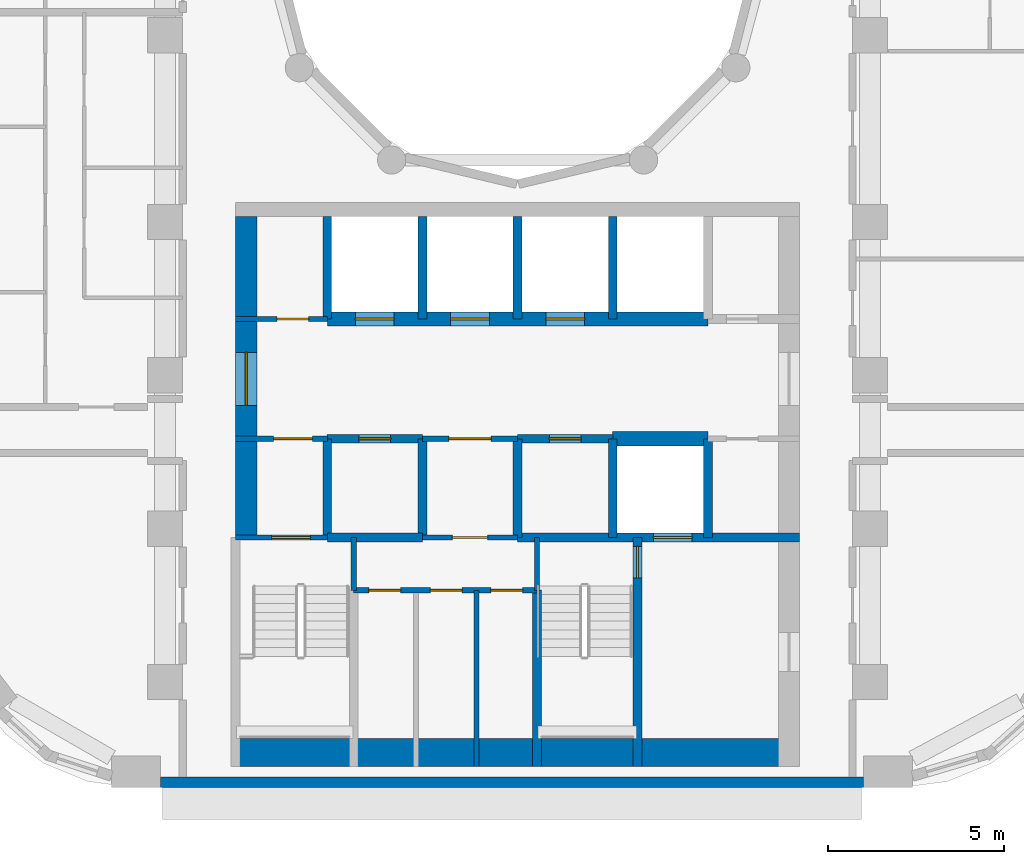
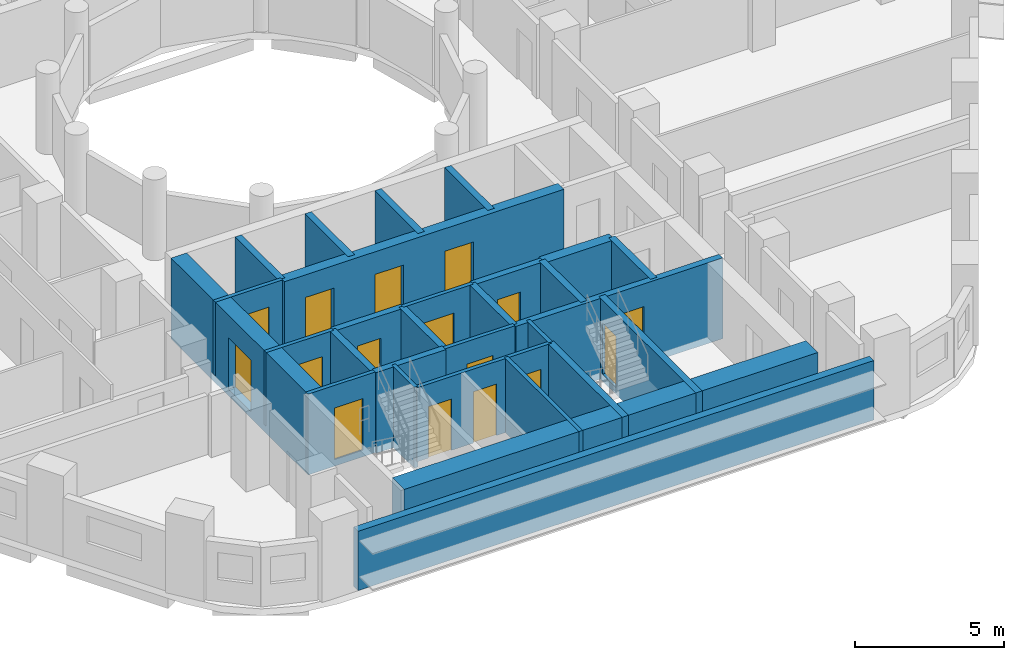
# One storey, part 3 of 12: 29 walls, 16 doors, 16 openings.
"""IFC4 building model written with IfcOpenShell, lengths in metres."""

from ifc_helpers import new_model, si_unit, direction, frame, frame_2d, origin, place, context, subcontext, project, spatial, rectangle, extrude, material, layer, layer_set, type_object, element, fill, save


model = new_model("IFC4")

# Units and contexts
model_context = context("Model", 3, precision=1e-05, world=origin(), true_north=direction((0.0, 1.0)))
body_context = subcontext(model_context, "Body", "Model", "MODEL_VIEW")
ifc_project = project(units=[si_unit("LENGTHUNIT", "METRE"), si_unit("AREAUNIT", "SQUARE_METRE"), si_unit("VOLUMEUNIT", "CUBIC_METRE"), si_unit("PLANEANGLEUNIT", "RADIAN"), si_unit("MASSUNIT", "GRAM", prefix="KILO")], contexts=[model_context])

# Site, building, storey
site_placement = place(None, origin())
site = spatial("IfcSite", under=ifc_project, at=site_placement, CompositionType="ELEMENT")
building_placement = place(site_placement, origin())
building = spatial("IfcBuilding", under=site, at=building_placement, Name="Nakaniwa Court", CompositionType="ELEMENT")
storey_placement = place(building_placement, frame((0.0, 0.0, 97.5)))
storey = spatial("IfcBuildingStorey", under=building, at=storey_placement, Name="L25", CompositionType="ELEMENT", Elevation=97.5)

# Wall
ifc_material_1 = material(Name="Charcoal ceramic cladding")
ifc_layer_1 = layer(ifc_material_1, 0.02, Name="Ceramic cladding")
ifc_material_2 = material(Name="Ventilated air cavity")
ifc_layer_2 = layer(ifc_material_2, 0.04, ventilated=True, Name="Ventilated cavity")
ifc_material_3 = material(Name="Mineral wool insulation")
ifc_layer_3 = layer(ifc_material_3, 0.1, Name="Insulation")
ifc_material_4 = material(Name="Cement bonded sheathing board")
ifc_layer_4 = layer(ifc_material_4, 0.012, Name="Sheathing")
ifc_material_5 = material(Name="Cold-formed galvanised stud frame with mineral wool infill")
ifc_layer_5 = layer(ifc_material_5, 0.1, Name="Stud frame")
ifc_material_6 = material(Name="Fire-rated gypsum plasterboard lining")
ifc_layer_6 = layer(ifc_material_6, 0.028, Name="Lining")
ifc_layer_set_1 = layer_set([ifc_layer_1, ifc_layer_2, ifc_layer_3, ifc_layer_4, ifc_layer_5, ifc_layer_6], Name="Charcoal ceramic faced external wall system")
wall_type_1 = type_object("IfcWallType", Name="Black ceramic faced external wall 300", PredefinedType="SOLIDWALL", material=ifc_layer_set_1)
wall_1_placement = place(storey_placement, frame((69.871337890625, 56.14990234375, 0.0), z_axis=(0.0, 0.0, 1.0), x_axis=(1.0, 0.0, 0.0)))
element("IfcWall", 1, at=wall_1_placement, inside=storey, type_object=wall_type_1, Name="L25 external wall 26", PredefinedType="SOLIDWALL", context=body_context, shape_type="SweptSolid", body=[
    extrude(rectangle(XDim=19.939697265625, YDim=0.300048828125, at=frame_2d((9.9697265625, 0.0))), origin(), (0.0, 0.0, 1.0), 2.425048828125),
])

# Wall, opening, door
ifc_material_7 = material(Name="Blockwork partition", Category="masonry")
ifc_layer_7 = layer(ifc_material_7, 0.14990234375)
ifc_layer_set_2 = layer_set([ifc_layer_7], Name="Blockwork partition")
wall_type_2 = type_object("IfcWallType", Name="Blockwork partition 150", PredefinedType="PARTITIONING", material=ifc_layer_set_2)
wall_2_placement = place(storey_placement, frame((72.0, 69.300048828125, 0.0), z_axis=(0.0, 0.0, 1.0), x_axis=(1.0, 0.0, 0.0)))
wall_2 = element("IfcWall", 2, at=wall_2_placement, inside=storey, type_object=wall_type_2, Name="Partition PW-037", PredefinedType="PARTITIONING", context=body_context, shape_type="SweptSolid", body=[
    extrude(rectangle(XDim=2.60009765625, YDim=0.14990234375, at=frame_2d((1.300048828125, 0.0))), origin(), (0.0, 0.0, 1.0), 3.02490234375),
])
opening_1_placement = place(wall_2_placement, frame((1.175048828125, 0.0, 0.0)))
opening_1 = element("IfcOpeningElement", 3, at=opening_1_placement, cuts=wall_2, Name="Opening D-05-09", PredefinedType="OPENING", context=body_context, shape_type="SweptSolid", body=[
    extrude(rectangle(XDim=0.89990234375, YDim=2.10009765625, at=frame_2d((0.449951171875, 1.050048828125))), frame((0.0, 0.0849609375, 0.0), z_axis=(0.0, -1.0, 0.0), x_axis=(1.0, 0.0, 0.0)), (0.0, 0.0, 1.0), 0.169921875),
])
ifc_material_8 = material(Name="Fire rated steel door set", Category="steel")
door_type_1 = type_object("IfcDoorType", Name="Service room door 900", OperationType="NOTDEFINED", PredefinedType="DOOR", material=ifc_material_8)
door_1_placement = place(opening_1_placement, origin())
door_1 = element("IfcDoor", 4, at=door_1_placement, inside=storey, type_object=door_type_1, Name="Door D-05-09 L25-014", OperationType="SINGLE_SWING_LEFT", OverallHeight=2.10009765625, OverallWidth=0.89990234375, PredefinedType="DOOR", context=body_context, shape_type="SweptSolid", body=[
    extrude(rectangle(XDim=0.89990234375, YDim=2.10009765625, at=frame_2d((0.449951171875, 1.050048828125))), frame((0.0, 0.02490234375, 0.0), z_axis=(0.0, -1.0, 0.0), x_axis=(1.0, 0.0, 0.0)), (0.0, 0.0, 1.0), 0.050048828125),
])
fill(opening_1, door_1)

wall_3_placement = place(storey_placement, frame((74.60302734375, 65.89990234375, 0.0), z_axis=(0.0, 0.0, 1.0), x_axis=(-1.0, 0.0, 0.0)))
wall_3 = element("IfcWall", 5, at=wall_3_placement, inside=storey, type_object=wall_type_2, Name="Partition PW-050", PredefinedType="PARTITIONING", context=body_context, shape_type="SweptSolid", body=[
    extrude(rectangle(XDim=2.60302734375, YDim=0.14990234375, at=frame_2d((1.301513671875, 0.0))), origin(), (0.0, 0.0, 1.0), 3.02490234375),
])
opening_2_placement = place(wall_3_placement, frame((0.427978515625, 0.0, 0.0)))
opening_2 = element("IfcOpeningElement", 6, at=opening_2_placement, cuts=wall_3, Name="Opening D-08-02", PredefinedType="OPENING", context=body_context, shape_type="SweptSolid", body=[
    extrude(rectangle(XDim=1.10009765625, YDim=2.10009765625, at=frame_2d((0.550048828125, 1.050048828125))), frame((0.0, 0.0849609375, 0.0), z_axis=(0.0, -1.0, 0.0), x_axis=(1.0, 0.0, 0.0)), (0.0, 0.0, 1.0), 0.169921875),
])
door_type_2 = type_object("IfcDoorType", Name="Stair lobby door 1100", OperationType="NOTDEFINED", PredefinedType="DOOR", material=ifc_material_8)
door_2_placement = place(opening_2_placement, origin())
door_2 = element("IfcDoor", 7, at=door_2_placement, inside=storey, type_object=door_type_2, Name="Door D-08-02 L25-016", OperationType="SINGLE_SWING_LEFT", OverallHeight=2.10009765625, OverallWidth=1.10009765625, PredefinedType="DOOR", context=body_context, shape_type="SweptSolid", body=[
    extrude(rectangle(XDim=1.10009765625, YDim=2.10009765625, at=frame_2d((0.550048828125, 1.050048828125))), frame((0.0, 0.02490234375, 0.0), z_axis=(0.0, -1.0, 0.0), x_axis=(1.0, 0.0, 0.0)), (0.0, 0.0, 1.0), 0.050048828125),
])
fill(opening_2, door_2)

wall_4_placement = place(storey_placement, frame((80.0029296875, 65.89990234375, 0.0), z_axis=(0.0, 0.0, 1.0), x_axis=(-1.0, 0.0, 0.0)))
wall_4 = element("IfcWall", 8, at=wall_4_placement, inside=storey, type_object=wall_type_2, Name="Partition PW-051", PredefinedType="PARTITIONING", context=body_context, shape_type="SweptSolid", body=[
    extrude(rectangle(XDim=2.705810546875, YDim=0.14990234375, at=frame_2d((1.35302734375, 0.0))), origin(), (0.0, 0.0, 1.0), 3.02490234375),
])
opening_3_placement = place(wall_4_placement, frame((0.7529296875, 0.0, 0.0)))
opening_3 = element("IfcOpeningElement", 9, at=opening_3_placement, cuts=wall_4, Name="Opening D-06-02", PredefinedType="OPENING", context=body_context, shape_type="SweptSolid", body=[
    extrude(rectangle(XDim=1.199951171875, YDim=2.10009765625, at=frame_2d((0.60009765625, 1.050048828125))), frame((0.0, 0.0849609375, 0.0), z_axis=(0.0, -1.0, 0.0), x_axis=(1.0, 0.0, 0.0)), (0.0, 0.0, 1.0), 0.169921875),
])
ifc_material_9 = material(Name="Fire rated steel double door set", Category="steel")
door_type_3 = type_object("IfcDoorType", Name="Service passage double door 1200", OperationType="NOTDEFINED", PredefinedType="DOOR", material=ifc_material_9)
door_3_placement = place(opening_3_placement, origin())
door_3 = element("IfcDoor", 10, at=door_3_placement, inside=storey, type_object=door_type_3, Name="Door D-06-02 L25-018", OperationType="DOUBLE_DOOR_SINGLE_SWING", OverallHeight=2.10009765625, OverallWidth=1.199951171875, PredefinedType="DOOR", context=body_context, shape_type="SweptSolid", body=[
    extrude(rectangle(XDim=1.199951171875, YDim=2.10009765625, at=frame_2d((0.60009765625, 1.050048828125))), frame((0.0, 0.02490234375, 0.0), z_axis=(0.0, -1.0, 0.0), x_axis=(1.0, 0.0, 0.0)), (0.0, 0.0, 1.0), 0.050048828125),
])
fill(opening_3, door_3)

wall_5_placement = place(storey_placement, frame((80.0, 63.10009765625, 0.0), z_axis=(0.0, 0.0, 1.0), x_axis=(-1.0, 0.0, 0.0)))
wall_5 = element("IfcWall", 11, at=wall_5_placement, inside=storey, type_object=wall_type_2, Name="Partition PW-059", PredefinedType="PARTITIONING", context=body_context, shape_type="SweptSolid", body=[
    extrude(rectangle(XDim=2.699951171875, YDim=0.14990234375, at=frame_2d((1.35009765625, 0.0))), origin(), (0.0, 0.0, 1.0), 3.02490234375),
])
opening_4_placement = place(wall_5_placement, frame((0.85009765625, 0.0, 0.0)))
opening_4 = element("IfcOpeningElement", 12, at=opening_4_placement, cuts=wall_5, Name="Opening D-23-02", PredefinedType="OPENING", context=body_context, shape_type="SweptSolid", body=[
    extrude(rectangle(XDim=1.0, YDim=2.10009765625, at=frame_2d((0.5, 1.050048828125))), frame((0.0, 0.0849609375, 0.0), z_axis=(0.0, -1.0, 0.0), x_axis=(1.0, 0.0, 0.0)), (0.0, 0.0, 1.0), 0.169921875),
])
door_type_4 = type_object("IfcDoorType", Name="Service room door 1000", OperationType="NOTDEFINED", PredefinedType="DOOR", material=ifc_material_8)
door_4_placement = place(opening_4_placement, origin())
door_4 = element("IfcDoor", 13, at=door_4_placement, inside=storey, type_object=door_type_4, Name="Door D-23-02 L25-021", OperationType="SINGLE_SWING_RIGHT", OverallHeight=2.10009765625, OverallWidth=1.0, PredefinedType="DOOR", context=body_context, shape_type="SweptSolid", body=[
    extrude(rectangle(XDim=1.0, YDim=2.10009765625, at=frame_2d((0.5, 1.050048828125))), frame((0.0, 0.02490234375, 0.0), z_axis=(0.0, -1.0, 0.0), x_axis=(1.0, 0.0, 0.0)), (0.0, 0.0, 1.0), 0.050048828125),
])
fill(opening_4, door_4)

# Wall, openings, doors
wall_6_placement = place(storey_placement, frame((80.550048828125, 61.60009765625, 0.0), z_axis=(0.0, 0.0, 1.0), x_axis=(-1.0, 0.0, 0.0)))
wall_6 = element("IfcWall", 14, at=wall_6_placement, inside=storey, type_object=wall_type_2, Name="Partition PW-066", PredefinedType="PARTITIONING", context=body_context, shape_type="SweptSolid", body=[
    extrude(rectangle(XDim=5.199951171875, YDim=0.14990234375, at=frame_2d((2.60009765625, 0.0))), origin(), (0.0, 0.0, 1.0), 3.02490234375),
])
opening_5_placement = place(wall_6_placement, frame((3.865966796875, 0.0, 0.0)))
opening_5 = element("IfcOpeningElement", 15, at=opening_5_placement, cuts=wall_6, Name="Opening D-05-14", PredefinedType="OPENING", context=body_context, shape_type="SweptSolid", body=[
    extrude(rectangle(XDim=0.89990234375, YDim=2.10009765625, at=frame_2d((0.449951171875, 1.050048828125))), frame((0.0, 0.0849609375, 0.0), z_axis=(0.0, -1.0, 0.0), x_axis=(1.0, 0.0, 0.0)), (0.0, 0.0, 1.0), 0.169921875),
])
opening_6_placement = place(wall_6_placement, frame((2.1240234375, 0.0, 0.0)))
opening_6 = element("IfcOpeningElement", 16, at=opening_6_placement, cuts=wall_6, Name="Opening D-05-15", PredefinedType="OPENING", context=body_context, shape_type="SweptSolid", body=[
    extrude(rectangle(XDim=0.89990234375, YDim=2.10009765625, at=frame_2d((0.449951171875, 1.050048828125))), frame((0.0, 0.0849609375, 0.0), z_axis=(0.0, -1.0, 0.0), x_axis=(1.0, 0.0, 0.0)), (0.0, 0.0, 1.0), 0.169921875),
])
opening_7_placement = place(wall_6_placement, frame((0.407958984375, 0.0, 0.0)))
opening_7 = element("IfcOpeningElement", 17, at=opening_7_placement, cuts=wall_6, Name="Opening D-05-16", PredefinedType="OPENING", context=body_context, shape_type="SweptSolid", body=[
    extrude(rectangle(XDim=0.89990234375, YDim=2.10009765625, at=frame_2d((0.449951171875, 1.050048828125))), frame((0.0, 0.0849609375, 0.0), z_axis=(0.0, -1.0, 0.0), x_axis=(1.0, 0.0, 0.0)), (0.0, 0.0, 1.0), 0.169921875),
])
door_5_placement = place(opening_5_placement, origin())
door_5 = element("IfcDoor", 18, at=door_5_placement, inside=storey, type_object=door_type_1, Name="Door D-05-14 L25-022", OperationType="SINGLE_SWING_LEFT", OverallHeight=2.10009765625, OverallWidth=0.89990234375, PredefinedType="DOOR", context=body_context, shape_type="SweptSolid", body=[
    extrude(rectangle(XDim=0.89990234375, YDim=2.10009765625, at=frame_2d((0.449951171875, 1.050048828125))), frame((0.0, 0.02490234375, 0.0), z_axis=(0.0, -1.0, 0.0), x_axis=(1.0, 0.0, 0.0)), (0.0, 0.0, 1.0), 0.050048828125),
])
fill(opening_5, door_5)
door_6_placement = place(opening_6_placement, origin())
door_6 = element("IfcDoor", 19, at=door_6_placement, inside=storey, type_object=door_type_1, Name="Door D-05-15 L25-023", OperationType="SINGLE_SWING_RIGHT", OverallHeight=2.10009765625, OverallWidth=0.89990234375, PredefinedType="DOOR", context=body_context, shape_type="SweptSolid", body=[
    extrude(rectangle(XDim=0.89990234375, YDim=2.10009765625, at=frame_2d((0.449951171875, 1.050048828125))), frame((0.0, 0.02490234375, 0.0), z_axis=(0.0, -1.0, 0.0), x_axis=(1.0, 0.0, 0.0)), (0.0, 0.0, 1.0), 0.050048828125),
])
fill(opening_6, door_6)
door_7_placement = place(opening_7_placement, origin())
door_7 = element("IfcDoor", 20, at=door_7_placement, inside=storey, type_object=door_type_1, Name="Door D-05-16 L25-024", OperationType="SINGLE_SWING_LEFT", OverallHeight=2.10009765625, OverallWidth=0.89990234375, PredefinedType="DOOR", context=body_context, shape_type="SweptSolid", body=[
    extrude(rectangle(XDim=0.89990234375, YDim=2.10009765625, at=frame_2d((0.449951171875, 1.050048828125))), frame((0.0, 0.02490234375, 0.0), z_axis=(0.0, -1.0, 0.0), x_axis=(1.0, 0.0, 0.0)), (0.0, 0.0, 1.0), 0.050048828125),
])
fill(opening_7, door_7)

# Wall
wall_7_placement = place(storey_placement, frame((78.833984375, 56.60009765625, 0.0), z_axis=(0.0, 0.0, 1.0), x_axis=(0.0, 1.0, 0.0)))
element("IfcWall", 21, at=wall_7_placement, inside=storey, type_object=wall_type_2, Name="Partition PW-068", PredefinedType="PARTITIONING", context=body_context, shape_type="SweptSolid", body=[
    extrude(rectangle(XDim=5.0, YDim=0.14990234375, at=frame_2d((2.5, 0.0))), origin(), (0.0, 0.0, 1.0), 3.02490234375),
])

# Wall, opening, door
ifc_material_10 = material(Name="Concrete C80/100", Category="concrete")
ifc_layer_8 = layer(ifc_material_10, 0.60009765625)
ifc_layer_set_3 = layer_set([ifc_layer_8], Name="Concrete C80/100")
wall_type_3 = type_object("IfcWallType", Name="Concrete core side wall 600 C80", PredefinedType="SHEAR", material=ifc_layer_set_3)
wall_8_placement = place(storey_placement, frame((72.300048828125, 63.10009765625, -0.27490234375), z_axis=(0.0, 0.0, 1.0), x_axis=(0.0, 1.0, 0.0)))
wall_8 = element("IfcWall", 22, at=wall_8_placement, inside=storey, type_object=wall_type_3, Name="Core wall SW-38", PredefinedType="SHEAR", context=body_context, shape_type="SweptSolid", body=[
    extrude(rectangle(XDim=9.099853515625, YDim=0.60009765625, at=frame_2d((4.5498046875, 0.0))), origin(), (0.0, 0.0, 1.0), 3.2998046875),
])
opening_8_placement = place(wall_8_placement, frame((3.75, 0.0, 0.27490234375)))
opening_8 = element("IfcOpeningElement", 23, at=opening_8_placement, cuts=wall_8, Name="Opening D-07-04", PredefinedType="OPENING", context=body_context, shape_type="SweptSolid", body=[
    extrude(rectangle(XDim=1.5, YDim=2.10009765625, at=frame_2d((0.75, 1.050048828125))), frame((0.0, 0.31005859375, 0.0), z_axis=(0.0, -1.0, 0.0), x_axis=(1.0, 0.0, 0.0)), (0.0, 0.0, 1.0), 0.6201171875),
])
ifc_material_11 = material(Name="Glazed fire rated steel double door set", Category="steel")
door_type_5 = type_object("IfcDoorType", Name="Lobby double door 1500", OperationType="NOTDEFINED", PredefinedType="DOOR", material=ifc_material_11)
door_8_placement = place(opening_8_placement, origin())
door_8 = element("IfcDoor", 24, at=door_8_placement, inside=storey, type_object=door_type_5, Name="Door D-07-04 L25-055", OperationType="DOUBLE_DOOR_SINGLE_SWING", OverallHeight=2.10009765625, OverallWidth=1.5, PredefinedType="DOOR", context=body_context, shape_type="SweptSolid", body=[
    extrude(rectangle(XDim=1.5, YDim=2.10009765625, at=frame_2d((0.75, 1.050048828125))), frame((0.0, 0.02490234375, 0.0), z_axis=(0.0, -1.0, 0.0), x_axis=(1.0, 0.0, 0.0)), (0.0, 0.0, 1.0), 0.050048828125),
])
fill(opening_8, door_8)

# Wall, openings, doors
ifc_layer_9 = layer(ifc_material_10, 0.39990234375)
ifc_layer_set_4 = layer_set([ifc_layer_9], Name="Concrete C80/100")
wall_type_4 = type_object("IfcWallType", Name="Concrete core spine wall 400 C80", PredefinedType="SHEAR", material=ifc_layer_set_4)
wall_9_placement = place(storey_placement, frame((74.60009765625, 69.300048828125, -0.27490234375), z_axis=(0.0, 0.0, 1.0), x_axis=(1.0, 0.0, 0.0)))
wall_9 = element("IfcWall", 25, at=wall_9_placement, inside=storey, type_object=wall_type_4, Name="Core wall SW-41", PredefinedType="SHEAR", context=body_context, shape_type="SweptSolid", body=[
    extrude(rectangle(XDim=10.7998046875, YDim=0.39990234375, at=frame_2d((5.39990234375, 0.0))), origin(), (0.0, 0.0, 1.0), 3.2998046875),
])
opening_9_placement = place(wall_9_placement, frame((0.800048828125, 0.0, 0.27490234375)))
opening_9 = element("IfcOpeningElement", 26, at=opening_9_placement, cuts=wall_9, Name="Opening LD05", PredefinedType="OPENING", context=body_context, shape_type="SweptSolid", body=[
    extrude(rectangle(XDim=1.10009765625, YDim=2.10009765625, at=frame_2d((0.550048828125, 1.050048828125))), frame((0.0, 0.2099609375, 0.0), z_axis=(0.0, -1.0, 0.0), x_axis=(1.0, 0.0, 0.0)), (0.0, 0.0, 1.0), 0.419921875),
])
opening_10_placement = place(wall_9_placement, frame((3.5, 0.0, 0.27490234375)))
opening_10 = element("IfcOpeningElement", 27, at=opening_10_placement, cuts=wall_9, Name="Opening LD06", PredefinedType="OPENING", context=body_context, shape_type="SweptSolid", body=[
    extrude(rectangle(XDim=1.10009765625, YDim=2.10009765625, at=frame_2d((0.550048828125, 1.050048828125))), frame((0.0, 0.2099609375, 0.0), z_axis=(0.0, -1.0, 0.0), x_axis=(1.0, 0.0, 0.0)), (0.0, 0.0, 1.0), 0.419921875),
])
opening_11_placement = place(wall_9_placement, frame((6.199951171875, 0.0, 0.27490234375)))
opening_11 = element("IfcOpeningElement", 28, at=opening_11_placement, cuts=wall_9, Name="Opening LD07", PredefinedType="OPENING", context=body_context, shape_type="SweptSolid", body=[
    extrude(rectangle(XDim=1.10009765625, YDim=2.10009765625, at=frame_2d((0.550048828125, 1.050048828125))), frame((0.0, 0.2099609375, 0.0), z_axis=(0.0, -1.0, 0.0), x_axis=(1.0, 0.0, 0.0)), (0.0, 0.0, 1.0), 0.419921875),
])
ifc_material_12 = material(Name="Stainless steel sliding lift landing door", Category="steel")
door_type_6 = type_object("IfcDoorType", Name="Lift landing door 1100", OperationType="NOTDEFINED", PredefinedType="DOOR", material=ifc_material_12)
door_9_placement = place(opening_9_placement, origin())
door_9 = element("IfcDoor", 29, at=door_9_placement, inside=storey, type_object=door_type_6, Name="Lift landing door LD05 L25-005", OperationType="SLIDING_TO_LEFT", OverallHeight=2.10009765625, OverallWidth=1.10009765625, PredefinedType="DOOR", context=body_context, shape_type="SweptSolid", body=[
    extrude(rectangle(XDim=1.10009765625, YDim=2.10009765625, at=frame_2d((0.550048828125, 1.050048828125))), frame((0.0, 0.02490234375, 0.0), z_axis=(0.0, -1.0, 0.0), x_axis=(1.0, 0.0, 0.0)), (0.0, 0.0, 1.0), 0.050048828125),
])
fill(opening_9, door_9)
door_10_placement = place(opening_10_placement, origin())
door_10 = element("IfcDoor", 30, at=door_10_placement, inside=storey, type_object=door_type_6, Name="Lift landing door LD06 L25-006", OperationType="SLIDING_TO_LEFT", OverallHeight=2.10009765625, OverallWidth=1.10009765625, PredefinedType="DOOR", context=body_context, shape_type="SweptSolid", body=[
    extrude(rectangle(XDim=1.10009765625, YDim=2.10009765625, at=frame_2d((0.550048828125, 1.050048828125))), frame((0.0, 0.02490234375, 0.0), z_axis=(0.0, -1.0, 0.0), x_axis=(1.0, 0.0, 0.0)), (0.0, 0.0, 1.0), 0.050048828125),
])
fill(opening_10, door_10)
door_11_placement = place(opening_11_placement, origin())
door_11 = element("IfcDoor", 31, at=door_11_placement, inside=storey, type_object=door_type_6, Name="Lift landing door LD07 L25-007", OperationType="SLIDING_TO_LEFT", OverallHeight=2.10009765625, OverallWidth=1.10009765625, PredefinedType="DOOR", context=body_context, shape_type="SweptSolid", body=[
    extrude(rectangle(XDim=1.10009765625, YDim=2.10009765625, at=frame_2d((0.550048828125, 1.050048828125))), frame((0.0, 0.02490234375, 0.0), z_axis=(0.0, -1.0, 0.0), x_axis=(1.0, 0.0, 0.0)), (0.0, 0.0, 1.0), 0.050048828125),
])
fill(opening_11, door_11)

# Wall
wall_10_placement = place(storey_placement, frame((82.697021484375, 65.89990234375, -0.27490234375), z_axis=(0.0, 0.0, 1.0), x_axis=(1.0, 0.0, 0.0)))
element("IfcWall", 32, at=wall_10_placement, inside=storey, type_object=wall_type_4, Name="Core wall SW-55", PredefinedType="SHEAR", context=body_context, shape_type="SweptSolid", body=[
    extrude(rectangle(XDim=2.7060546875, YDim=0.39990234375, at=frame_2d((1.35302734375, 0.0))), origin(), (0.0, 0.0, 1.0), 3.2998046875),
])

# Wall, opening, door
ifc_layer_10 = layer(ifc_material_10, 0.14990234375)
ifc_layer_set_5 = layer_set([ifc_layer_10], Name="Concrete C80/100")
wall_type_5 = type_object("IfcWallType", Name="Concrete core wall 150 C80", PredefinedType="SHEAR", material=ifc_layer_set_5)
wall_11_placement = place(storey_placement, frame((72.0, 63.10009765625, -0.27490234375), z_axis=(0.0, 0.0, 1.0), x_axis=(1.0, 0.0, 0.0)))
wall_11 = element("IfcWall", 33, at=wall_11_placement, inside=storey, type_object=wall_type_5, Name="Core wall SW-56", PredefinedType="SHEAR", context=body_context, shape_type="SweptSolid", body=[
    extrude(rectangle(XDim=2.60009765625, YDim=0.14990234375, at=frame_2d((1.300048828125, 0.0))), origin(), (0.0, 0.0, 1.0), 3.2998046875),
])
opening_12_placement = place(wall_11_placement, frame((1.02001953125, 0.0, 0.27490234375)))
opening_12 = element("IfcOpeningElement", 34, at=opening_12_placement, cuts=wall_11, Name="Opening D-09-02", PredefinedType="OPENING", context=body_context, shape_type="SweptSolid", body=[
    extrude(rectangle(XDim=1.10009765625, YDim=2.10009765625, at=frame_2d((0.550048828125, 1.050048828125))), frame((0.0, 0.0849609375, 0.0), z_axis=(0.0, -1.0, 0.0), x_axis=(1.0, 0.0, 0.0)), (0.0, 0.0, 1.0), 0.169921875),
])
door_type_7 = type_object("IfcDoorType", Name="Stair door 1100", OperationType="NOTDEFINED", PredefinedType="DOOR", material=ifc_material_8)
door_12_placement = place(opening_12_placement, origin())
door_12 = element("IfcDoor", 35, at=door_12_placement, inside=storey, type_object=door_type_7, Name="Door D-09-02 L25-025", OperationType="SINGLE_SWING_LEFT", OverallHeight=2.10009765625, OverallWidth=1.10009765625, PredefinedType="DOOR", context=body_context, shape_type="SweptSolid", body=[
    extrude(rectangle(XDim=1.10009765625, YDim=2.10009765625, at=frame_2d((0.550048828125, 1.050048828125))), frame((0.0, 0.02490234375, 0.0), z_axis=(0.0, -1.0, 0.0), x_axis=(1.0, 0.0, 0.0)), (0.0, 0.0, 1.0), 0.050048828125),
])
fill(opening_12, door_12)

# Walls
for number, where, z_axis, x_axis, name in (
    (36, (75.35009765625, 61.596923828125, -0.27490234375), (0.0, 0.0, 1.0), (0.0, 1.0, 0.0), "Core wall SW-60"),
    (37, (80.550048828125, 61.596923828125, -0.27490234375), (0.0, 0.0, 1.0), (0.0, 1.0, 0.0), "Core wall SW-64"),
):
    element("IfcWall", number, at=place(storey_placement, frame(where, z_axis=z_axis, x_axis=x_axis)), inside=storey, type_object=wall_type_5, Name=name, PredefinedType="SHEAR", context=body_context, shape_type="SweptSolid", body=[
        extrude(rectangle(XDim=1.503173828125, YDim=0.14990234375, at=frame_2d((0.75146484375, 0.0))), origin(), (0.0, 0.0, 1.0), 3.2998046875),
    ])
ifc_layer_11 = layer(ifc_material_10, 0.800048828125)
ifc_layer_set_6 = layer_set([ifc_layer_11], Name="Concrete C80/100")
wall_type_6 = type_object("IfcWallType", Name="Concrete core wall 800 C80", PredefinedType="SHEAR", material=ifc_layer_set_6)
wall_12_placement = place(storey_placement, frame((72.00390625, 57.0, -0.27490234375), z_axis=(0.0, 0.0, 1.0), x_axis=(1.0, 0.0, 0.0)))
element("IfcWall", 38, at=wall_12_placement, inside=storey, type_object=wall_type_6, Name="Core wall SW-132", PredefinedType="SHEAR", context=body_context, shape_type="SweptSolid", body=[
    extrude(rectangle(XDim=15.9921875, YDim=0.800048828125, at=frame_2d((7.99609375, 0.0))), origin(), (0.0, 0.0, 1.0), 3.2998046875),
])
ifc_layer_12 = layer(ifc_material_10, 0.25)
ifc_layer_set_7 = layer_set([ifc_layer_12], Name="Concrete C80/100")
wall_type_7 = type_object("IfcWallType", Name="Concrete shaft wall 250 C80", PredefinedType="SHEAR", material=ifc_layer_set_7)
wall_13_placement = place(storey_placement, frame((74.60009765625, 63.10009765625, -0.27490234375), z_axis=(0.0, 0.0, 1.0), x_axis=(0.0, 1.0, 0.0)))
element("IfcWall", 39, at=wall_13_placement, inside=storey, type_object=wall_type_7, Name="Core wall SW-35", PredefinedType="SHEAR", context=body_context, shape_type="SweptSolid", body=[
    extrude(rectangle(XDim=2.7998046875, YDim=0.25, at=frame_2d((1.39990234375, 0.0))), origin(), (0.0, 0.0, 1.0), 3.2998046875),
])
wall_14_placement = place(storey_placement, frame((74.60009765625, 69.300048828125, -0.27490234375), z_axis=(0.0, 0.0, 1.0), x_axis=(0.0, 1.0, 0.0)))
element("IfcWall", 40, at=wall_14_placement, inside=storey, type_object=wall_type_7, Name="Core wall SW-36", PredefinedType="SHEAR", context=body_context, shape_type="SweptSolid", body=[
    extrude(rectangle(XDim=2.89990234375, YDim=0.25, at=frame_2d((1.449951171875, 0.0))), origin(), (0.0, 0.0, 1.0), 3.2998046875),
])
wall_15_placement = place(storey_placement, frame((77.300048828125, 63.10009765625, -0.27490234375), z_axis=(0.0, 0.0, 1.0), x_axis=(0.0, 1.0, 0.0)))
element("IfcWall", 41, at=wall_15_placement, inside=storey, type_object=wall_type_7, Name="Core wall SW-39", PredefinedType="SHEAR", context=body_context, shape_type="SweptSolid", body=[
    extrude(rectangle(XDim=2.7998046875, YDim=0.25, at=frame_2d((1.39990234375, 0.0))), origin(), (0.0, 0.0, 1.0), 3.2998046875),
])
wall_16_placement = place(storey_placement, frame((77.300048828125, 69.300048828125, -0.27490234375), z_axis=(0.0, 0.0, 1.0), x_axis=(0.0, 1.0, 0.0)))
element("IfcWall", 42, at=wall_16_placement, inside=storey, type_object=wall_type_7, Name="Core wall SW-40", PredefinedType="SHEAR", context=body_context, shape_type="SweptSolid", body=[
    extrude(rectangle(XDim=2.89990234375, YDim=0.25, at=frame_2d((1.449951171875, 0.0))), origin(), (0.0, 0.0, 1.0), 3.2998046875),
])
wall_17_placement = place(storey_placement, frame((80.0, 63.10009765625, -0.27490234375), z_axis=(0.0, 0.0, 1.0), x_axis=(0.0, 1.0, 0.0)))
element("IfcWall", 43, at=wall_17_placement, inside=storey, type_object=wall_type_7, Name="Core wall SW-42", PredefinedType="SHEAR", context=body_context, shape_type="SweptSolid", body=[
    extrude(rectangle(XDim=2.7998046875, YDim=0.25, at=frame_2d((1.39990234375, 0.0))), origin(), (0.0, 0.0, 1.0), 3.2998046875),
])
wall_18_placement = place(storey_placement, frame((80.0, 69.300048828125, -0.27490234375), z_axis=(0.0, 0.0, 1.0), x_axis=(0.0, 1.0, 0.0)))
element("IfcWall", 44, at=wall_18_placement, inside=storey, type_object=wall_type_7, Name="Core wall SW-43", PredefinedType="SHEAR", context=body_context, shape_type="SweptSolid", body=[
    extrude(rectangle(XDim=2.89990234375, YDim=0.25, at=frame_2d((1.449951171875, 0.0))), origin(), (0.0, 0.0, 1.0), 3.2998046875),
])
wall_19_placement = place(storey_placement, frame((82.699951171875, 63.10009765625, -0.27490234375), z_axis=(0.0, 0.0, 1.0), x_axis=(0.0, 1.0, 0.0)))
element("IfcWall", 45, at=wall_19_placement, inside=storey, type_object=wall_type_7, Name="Core wall SW-44", PredefinedType="SHEAR", context=body_context, shape_type="SweptSolid", body=[
    extrude(rectangle(XDim=2.7998046875, YDim=0.25, at=frame_2d((1.39990234375, 0.0))), origin(), (0.0, 0.0, 1.0), 3.2998046875),
])
wall_20_placement = place(storey_placement, frame((82.699951171875, 69.300048828125, -0.27490234375), z_axis=(0.0, 0.0, 1.0), x_axis=(0.0, 1.0, 0.0)))
element("IfcWall", 46, at=wall_20_placement, inside=storey, type_object=wall_type_7, Name="Core wall SW-45", PredefinedType="SHEAR", context=body_context, shape_type="SweptSolid", body=[
    extrude(rectangle(XDim=2.89990234375, YDim=0.25, at=frame_2d((1.449951171875, 0.0))), origin(), (0.0, 0.0, 1.0), 3.2998046875),
])
wall_21_placement = place(storey_placement, frame((85.39990234375, 63.10009765625, -0.27490234375), z_axis=(0.0, 0.0, 1.0), x_axis=(0.0, 1.0, 0.0)))
element("IfcWall", 47, at=wall_21_placement, inside=storey, type_object=wall_type_7, Name="Core wall SW-46", PredefinedType="SHEAR", context=body_context, shape_type="SweptSolid", body=[
    extrude(rectangle(XDim=2.7998046875, YDim=0.25, at=frame_2d((1.39990234375, 0.0))), origin(), (0.0, 0.0, 1.0), 3.2998046875),
])

# Wall, opening, door
wall_22_placement = place(storey_placement, frame((77.302978515625, 65.89990234375, -0.27490234375), z_axis=(0.0, 0.0, 1.0), x_axis=(-1.0, 0.0, 0.0)))
wall_22 = element("IfcWall", 48, at=wall_22_placement, inside=storey, type_object=wall_type_7, Name="Core wall SW-53", PredefinedType="SHEAR", context=body_context, shape_type="SweptSolid", body=[
    extrude(rectangle(XDim=2.7060546875, YDim=0.25, at=frame_2d((1.35302734375, 0.0))), origin(), (0.0, 0.0, 1.0), 3.2998046875),
])
opening_13_placement = place(wall_22_placement, frame((0.903076171875, 0.0, 0.27490234375)))
opening_13 = element("IfcOpeningElement", 49, at=opening_13_placement, cuts=wall_22, Name="Opening D-05-11", PredefinedType="OPENING", context=body_context, shape_type="SweptSolid", body=[
    extrude(rectangle(XDim=0.89990234375, YDim=2.10009765625, at=frame_2d((0.449951171875, 1.050048828125))), frame((0.0, 0.135009765625, 0.0), z_axis=(0.0, -1.0, 0.0), x_axis=(1.0, 0.0, 0.0)), (0.0, 0.0, 1.0), 0.27001953125),
])
door_13_placement = place(opening_13_placement, origin())
door_13 = element("IfcDoor", 50, at=door_13_placement, inside=storey, type_object=door_type_1, Name="Door D-05-11 L25-017", OperationType="SINGLE_SWING_RIGHT", OverallHeight=2.10009765625, OverallWidth=0.89990234375, PredefinedType="DOOR", context=body_context, shape_type="SweptSolid", body=[
    extrude(rectangle(XDim=0.89990234375, YDim=2.10009765625, at=frame_2d((0.449951171875, 1.050048828125))), frame((0.0, 0.02490234375, 0.0), z_axis=(0.0, -1.0, 0.0), x_axis=(1.0, 0.0, 0.0)), (0.0, 0.0, 1.0), 0.050048828125),
])
fill(opening_13, door_13)

wall_23_placement = place(storey_placement, frame((82.702880859375, 65.89990234375, -0.27490234375), z_axis=(0.0, 0.0, 1.0), x_axis=(-1.0, 0.0, 0.0)))
wall_23 = element("IfcWall", 51, at=wall_23_placement, inside=storey, type_object=wall_type_7, Name="Core wall SW-54", PredefinedType="SHEAR", context=body_context, shape_type="SweptSolid", body=[
    extrude(rectangle(XDim=2.705810546875, YDim=0.25, at=frame_2d((1.35302734375, 0.0))), origin(), (0.0, 0.0, 1.0), 3.2998046875),
])
opening_14_placement = place(wall_23_placement, frame((0.903076171875, 0.0, 0.27490234375)))
opening_14 = element("IfcOpeningElement", 52, at=opening_14_placement, cuts=wall_23, Name="Opening D-05-12", PredefinedType="OPENING", context=body_context, shape_type="SweptSolid", body=[
    extrude(rectangle(XDim=0.89990234375, YDim=2.10009765625, at=frame_2d((0.449951171875, 1.050048828125))), frame((0.0, 0.135009765625, 0.0), z_axis=(0.0, -1.0, 0.0), x_axis=(1.0, 0.0, 0.0)), (0.0, 0.0, 1.0), 0.27001953125),
])
door_14_placement = place(opening_14_placement, origin())
door_14 = element("IfcDoor", 53, at=door_14_placement, inside=storey, type_object=door_type_1, Name="Door D-05-12 L25-019", OperationType="SINGLE_SWING_RIGHT", OverallHeight=2.10009765625, OverallWidth=0.89990234375, PredefinedType="DOOR", context=body_context, shape_type="SweptSolid", body=[
    extrude(rectangle(XDim=0.89990234375, YDim=2.10009765625, at=frame_2d((0.449951171875, 1.050048828125))), frame((0.0, 0.02490234375, 0.0), z_axis=(0.0, -1.0, 0.0), x_axis=(1.0, 0.0, 0.0)), (0.0, 0.0, 1.0), 0.050048828125),
])
fill(opening_14, door_14)

# Wall
wall_24_placement = place(storey_placement, frame((74.60009765625, 63.10009765625, -0.27490234375), z_axis=(0.0, 0.0, 1.0), x_axis=(1.0, 0.0, 0.0)))
element("IfcWall", 54, at=wall_24_placement, inside=storey, type_object=wall_type_7, Name="Core wall SW-57", PredefinedType="SHEAR", context=body_context, shape_type="SweptSolid", body=[
    extrude(rectangle(XDim=2.699951171875, YDim=0.25, at=frame_2d((1.35009765625, 0.0))), origin(), (0.0, 0.0, 1.0), 3.2998046875),
])

# Wall, opening, door
wall_25_placement = place(storey_placement, frame((80.0, 63.10009765625, -0.27490234375), z_axis=(0.0, 0.0, 1.0), x_axis=(1.0, 0.0, 0.0)))
wall_25 = element("IfcWall", 55, at=wall_25_placement, inside=storey, type_object=wall_type_7, Name="Core wall SW-58", PredefinedType="SHEAR", context=body_context, shape_type="SweptSolid", body=[
    extrude(rectangle(XDim=8.0, YDim=0.25, at=frame_2d((4.0, 0.0))), origin(), (0.0, 0.0, 1.0), 3.2998046875),
])
opening_15_placement = place(wall_25_placement, frame((3.84912109375, 0.0, 0.27490234375)))
opening_15 = element("IfcOpeningElement", 56, at=opening_15_placement, cuts=wall_25, Name="Opening LD08", PredefinedType="OPENING", context=body_context, shape_type="SweptSolid", body=[
    extrude(rectangle(XDim=1.10009765625, YDim=2.10009765625, at=frame_2d((0.550048828125, 1.050048828125))), frame((0.0, 0.135009765625, 0.0), z_axis=(0.0, -1.0, 0.0), x_axis=(1.0, 0.0, 0.0)), (0.0, 0.0, 1.0), 0.27001953125),
])
door_15_placement = place(opening_15_placement, origin())
door_15 = element("IfcDoor", 57, at=door_15_placement, inside=storey, type_object=door_type_6, Name="Lift landing door LD08 L25-008", OperationType="SLIDING_TO_LEFT", OverallHeight=2.10009765625, OverallWidth=1.10009765625, PredefinedType="DOOR", context=body_context, shape_type="SweptSolid", body=[
    extrude(rectangle(XDim=1.10009765625, YDim=2.10009765625, at=frame_2d((0.550048828125, 1.050048828125))), frame((0.0, 0.02490234375, 0.0), z_axis=(0.0, -1.0, 0.0), x_axis=(1.0, 0.0, 0.0)), (0.0, 0.0, 1.0), 0.050048828125),
])
fill(opening_15, door_15)

wall_26_placement = place(storey_placement, frame((83.39990234375, 63.10009765625, -0.27490234375), z_axis=(0.0, 0.0, 1.0), x_axis=(0.0, -1.0, 0.0)))
wall_26 = element("IfcWall", 58, at=wall_26_placement, inside=storey, type_object=wall_type_7, Name="Core wall SW-63", PredefinedType="SHEAR", context=body_context, shape_type="SweptSolid", body=[
    extrude(rectangle(XDim=6.5, YDim=0.25, at=frame_2d((3.25, 0.0))), origin(), (0.0, 0.0, 1.0), 3.2998046875),
])
opening_16_placement = place(wall_26_placement, frame((0.25, 0.0, 0.27490234375)))
opening_16 = element("IfcOpeningElement", 59, at=opening_16_placement, cuts=wall_26, Name="Opening D-11-02", PredefinedType="OPENING", context=body_context, shape_type="SweptSolid", body=[
    extrude(rectangle(XDim=0.89990234375, YDim=2.10009765625, at=frame_2d((0.449951171875, 1.050048828125))), frame((0.0, 0.135009765625, 0.0), z_axis=(0.0, -1.0, 0.0), x_axis=(1.0, 0.0, 0.0)), (0.0, 0.0, 1.0), 0.27001953125),
])
door_type_8 = type_object("IfcDoorType", Name="Stair door 900", OperationType="NOTDEFINED", PredefinedType="DOOR", material=ifc_material_8)
door_16_placement = place(opening_16_placement, origin())
door_16 = element("IfcDoor", 60, at=door_16_placement, inside=storey, type_object=door_type_8, Name="Door D-11-02 L25-026", OperationType="SINGLE_SWING_RIGHT", OverallHeight=2.10009765625, OverallWidth=0.89990234375, PredefinedType="DOOR", context=body_context, shape_type="SweptSolid", body=[
    extrude(rectangle(XDim=0.89990234375, YDim=2.10009765625, at=frame_2d((0.449951171875, 1.050048828125))), frame((0.0, 0.02490234375, 0.0), z_axis=(0.0, -1.0, 0.0), x_axis=(1.0, 0.0, 0.0)), (0.0, 0.0, 1.0), 0.050048828125),
])
fill(opening_16, door_16)

# Wall
wall_27_placement = place(storey_placement, frame((80.550048828125, 56.60009765625, -0.27490234375), z_axis=(0.0, 0.0, 1.0), x_axis=(0.0, 1.0, 0.0)))
element("IfcWall", 61, at=wall_27_placement, inside=storey, type_object=wall_type_7, Name="Core wall SW-65", PredefinedType="SHEAR", context=body_context, shape_type="SweptSolid", body=[
    extrude(rectangle(XDim=5.0029296875, YDim=0.25, at=frame_2d((2.50146484375, 0.0))), origin(), (0.0, 0.0, 1.0), 3.2998046875),
])

save(model, "model.ifc")
